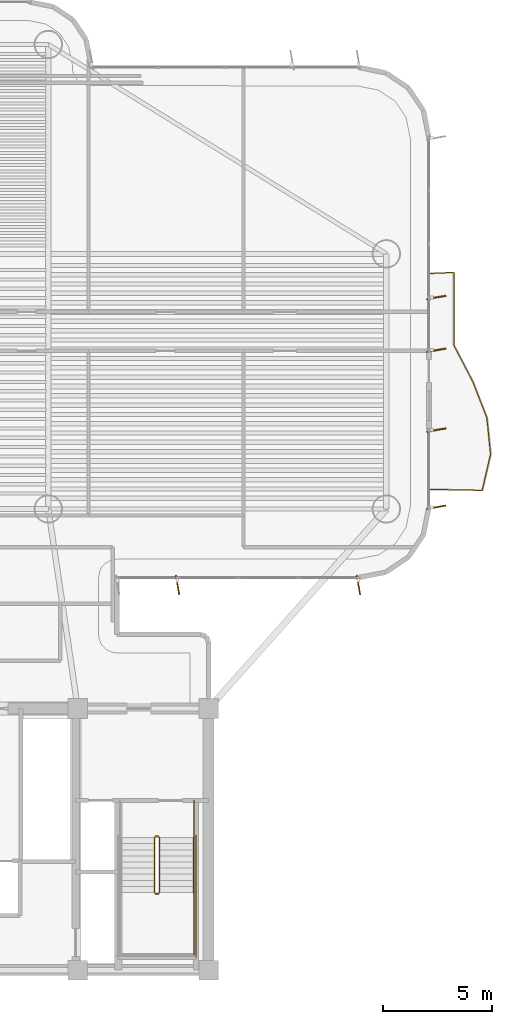
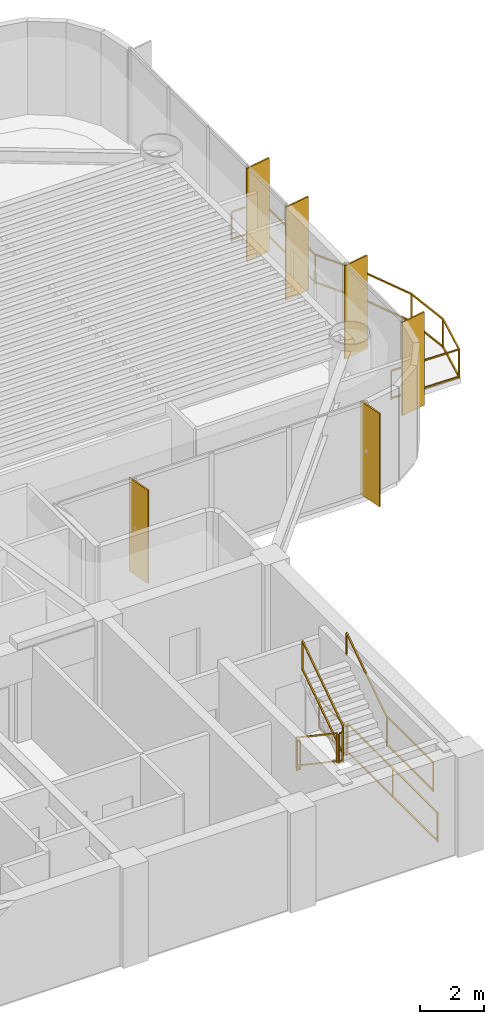
# One storey, part 15 of 16: 9 railings, 6 shading devices.
"""IFC4 building model written with IfcOpenShell, lengths in metres."""

from ifc_helpers import new_model, si_unit, direction, frame, origin, origin_2d, place, context, subcontext, project, spatial, rectangle, extrude, source, transform, mapped, material, layer, layer_set, material_profile, profile_set, type_object, element, save


model = new_model("IFC4")

# Units and contexts
model_context = context("Model", 3, precision=1e-05, world=origin(), true_north=direction((0.0, 1.0)))
body_context = subcontext(model_context, "Body", "Model", "MODEL_VIEW")
ifc_project = project(units=[si_unit("LENGTHUNIT", "METRE"), si_unit("AREAUNIT", "SQUARE_METRE"), si_unit("VOLUMEUNIT", "CUBIC_METRE"), si_unit("PLANEANGLEUNIT", "RADIAN"), si_unit("MASSUNIT", "GRAM", prefix="KILO")], contexts=[model_context])

# Site, building, storey
site_placement = place(None, origin())
site = spatial("IfcSite", under=ifc_project, at=site_placement, CompositionType="ELEMENT")
building_placement = place(site_placement, origin())
building = spatial("IfcBuilding", under=site, at=building_placement, Name="Brelvock Crest Care Tower", CompositionType="ELEMENT")
storey_placement = place(building_placement, frame((0.0, 0.0, 123.840087890625)))
storey = spatial("IfcBuildingStorey", under=building, at=storey_placement, Name="L31", CompositionType="ELEMENT", Elevation=123.840087890625)

# Railings
ifc_material_1 = material(Name="Dark Glass Double Glazed Low-E", Category="glass")
ifc_layer_1 = layer(ifc_material_1, 0.06005859375, Name="RL-BAL1")
ifc_layer_set_1 = layer_set([ifc_layer_1], Name="Dark Glass Double Glazed Low-E")
railing_type_1 = type_object("IfcRailingType", Name="RL-BAL1", PredefinedType="BALUSTRADE", material=ifc_layer_set_1)
railing_1_placement = place(storey_placement, frame((58.139892578125, 28.050048828125, 0.00390625)))
element("IfcRailing", 1, at=railing_1_placement, inside=storey, type_object=railing_type_1, Name="L31 Safety Balustrade WB-E", PredefinedType="BALUSTRADE", context=body_context, shape_type="SweptSolid", body=[
    extrude(rectangle(XDim=0.048095703125, YDim=0.048095703125, at=origin_2d()), frame((0.001953125, 0.0, 1.09619140625), z_axis=(0.999783496855, -0.020807676838, 0.0), x_axis=(0.020807676838, 0.999783496855, 0.0)), (0.0, 0.0, 1.0), 2.4013671875),
    extrude(rectangle(XDim=0.048095703125, YDim=0.048095703125, at=origin_2d()), frame((0.001953125, 0.0, 0.054931640625), z_axis=(0.999783496855, -0.020807676838, 0.0), x_axis=(0.020807676838, 0.999783496855, 0.0)), (0.0, 0.0, 1.0), 2.4013671875),
    extrude(rectangle(XDim=0.048095703125, YDim=0.048095703125, at=origin_2d()), frame((2.4052734375, -0.048095703125, 1.09619140625), z_axis=(0.22439035679, 0.974499342114, 0.0), x_axis=(-0.974499342114, 0.22439035679, 0.0)), (0.0, 0.0, 1.0), 1.706298828125),
    extrude(rectangle(XDim=0.048095703125, YDim=0.048095703125, at=origin_2d()), frame((2.4052734375, -0.048095703125, 0.054931640625), z_axis=(0.22439035679, 0.974499342114, 0.0), x_axis=(-0.974499342114, 0.22439035679, 0.0)), (0.0, 0.0, 1.0), 1.706298828125),
    extrude(rectangle(XDim=0.048095703125, YDim=0.048095703125, at=origin_2d()), frame((2.788330078125, 1.61865234375, 1.09619140625), z_axis=(-0.101148651987, 0.994871323439, 0.0), x_axis=(-0.994871323439, -0.101148651987, 0.0)), (0.0, 0.0, 1.0), 1.671142578125),
    extrude(rectangle(XDim=0.048095703125, YDim=0.048095703125, at=origin_2d()), frame((2.788330078125, 1.61865234375, 0.054931640625), z_axis=(-0.101148651987, 0.994871323439, 0.0), x_axis=(-0.994871323439, -0.101148651987, 0.0)), (0.0, 0.0, 1.0), 1.671142578125),
    extrude(rectangle(XDim=0.048095703125, YDim=0.048095703125, at=origin_2d()), frame((2.618408203125, 3.28515625, 1.09619140625), z_axis=(-0.364466206994, 0.93121661495, 0.0), x_axis=(-0.93121661495, -0.364466206994, 0.0)), (0.0, 0.0, 1.0), 1.785888671875),
    extrude(rectangle(XDim=0.048095703125, YDim=0.048095703125, at=origin_2d()), frame((2.618408203125, 3.28515625, 0.054931640625), z_axis=(-0.364466206994, 0.93121661495, 0.0), x_axis=(-0.93121661495, -0.364466206994, 0.0)), (0.0, 0.0, 1.0), 1.785888671875),
    extrude(rectangle(XDim=0.048095703125, YDim=0.048095703125, at=origin_2d()), frame((1.9658203125, 4.95166015625, 1.09619140625), z_axis=(-0.46114401417, 0.887325305733, 0.0), x_axis=(-0.887325305733, -0.46114401417, 0.0)), (0.0, 0.0, 1.0), 1.87451171875),
    extrude(rectangle(XDim=0.048095703125, YDim=0.048095703125, at=origin_2d()), frame((1.9658203125, 4.95166015625, 0.054931640625), z_axis=(-0.46114401417, 0.887325305733, 0.0), x_axis=(-0.887325305733, -0.46114401417, 0.0)), (0.0, 0.0, 1.0), 1.87451171875),
    extrude(rectangle(XDim=0.048095703125, YDim=0.048095703125, at=origin_2d()), frame((1.1005859375, 6.61865234375, 1.09619140625), z_axis=(-0.00014648795, 0.999999989271, 0.0), x_axis=(-0.999999989271, -0.00014648795, 0.0)), (0.0, 0.0, 1.0), 3.329345703125),
    extrude(rectangle(XDim=0.048095703125, YDim=0.048095703125, at=origin_2d()), frame((1.1005859375, 6.61865234375, 0.054931640625), z_axis=(-0.00014648795, 0.999999989271, 0.0), x_axis=(-0.999999989271, -0.00014648795, 0.0)), (0.0, 0.0, 1.0), 3.329345703125),
    extrude(rectangle(XDim=0.048095703125, YDim=0.048095703125, at=origin_2d()), frame((1.09814453125, 9.949951171875, 1.09619140625), z_axis=(-0.998966710972, -0.045447886318, 0.0), x_axis=(0.045447886318, -0.998966710972, 0.0)), (0.0, 0.0, 1.0), 1.09716796875),
    extrude(rectangle(XDim=0.048095703125, YDim=0.048095703125, at=origin_2d()), frame((1.09814453125, 9.949951171875, 0.054931640625), z_axis=(-0.998966710972, -0.045447886318, 0.0), x_axis=(0.045447886318, -0.998966710972, 0.0)), (0.0, 0.0, 1.0), 1.09716796875),
    extrude(rectangle(XDim=0.0419921875, YDim=0.0419921875, at=origin_2d()), origin(), (0.0, 0.0, 1.0), 1.070068359375),
    extrude(rectangle(XDim=0.0419921875, YDim=0.0419921875, at=origin_2d()), frame((2.40478515625, -0.050048828125, 0.0)), (0.0, 0.0, 1.0), 1.070068359375),
    extrude(rectangle(XDim=0.0419921875, YDim=0.0419921875, at=origin_2d()), frame((2.78857421875, 1.61669921875, 0.0)), (0.0, 0.0, 1.0), 1.070068359375),
    extrude(rectangle(XDim=0.0419921875, YDim=0.0419921875, at=origin_2d()), frame((2.619140625, 3.283203125, 0.0)), (0.0, 0.0, 1.0), 1.070068359375),
    extrude(rectangle(XDim=0.0419921875, YDim=0.0419921875, at=origin_2d()), frame((1.966796875, 4.949951171875, 0.0)), (0.0, 0.0, 1.0), 1.070068359375),
    extrude(rectangle(XDim=0.0419921875, YDim=0.0419921875, at=origin_2d()), frame((1.1005859375, 6.61669921875, 0.0)), (0.0, 0.0, 1.0), 1.070068359375),
    extrude(rectangle(XDim=0.0419921875, YDim=0.0419921875, at=origin_2d()), frame((1.10009765625, 9.949951171875, 0.0)), (0.0, 0.0, 1.0), 1.070068359375),
    extrude(rectangle(XDim=0.0419921875, YDim=0.0419921875, at=origin_2d()), frame((0.0, 9.89990234375, 0.0)), (0.0, 0.0, 1.0), 1.070068359375),
])
ifc_material_2 = material(Name="Steel Grade 350", Category="steel")
ifc_layer_2 = layer(ifc_material_2, 0.050048828125, Name="RL-STG1")
ifc_layer_set_2 = layer_set([ifc_layer_2], Name="Steel Grade 350")
railing_type_2 = type_object("IfcRailingType", Name="RL-STG1", PredefinedType="GUARDRAIL", material=ifc_layer_set_2)
railing_2_placement = place(storey_placement, frame((45.52001953125, 12.080078125, 0.18896484375)))
element("IfcRailing", 2, at=railing_2_placement, inside=storey, type_object=railing_type_2, Name="L31 ST-2 stair guard 1", PredefinedType="GUARDRAIL", context=body_context, shape_type="SweptSolid", body=[
    extrude(rectangle(XDim=0.048095703125, YDim=0.048095703125, at=origin_2d()), frame((0.0, -0.001708984375, 1.116943359375), z_axis=(0.0, -0.828861706735, 0.559453546873), x_axis=(1.0, 0.0, 0.0)), (0.0, 0.0, 1.0), 3.036376953125),
    extrude(rectangle(XDim=0.048095703125, YDim=0.048095703125, at=origin_2d()), frame((0.0, -0.001708984375, 0.05615234375), z_axis=(0.0, -0.828861706735, 0.559453546873), x_axis=(1.0, 0.0, 0.0)), (0.0, 0.0, 1.0), 3.036376953125),
    extrude(rectangle(XDim=0.0419921875, YDim=0.0419921875, at=origin_2d()), origin(), (0.0, 0.0, 1.0), 1.08984375),
    extrude(rectangle(XDim=0.0419921875, YDim=0.0419921875, at=origin_2d()), frame((0.0, -2.52001953125, 1.700927734375)), (0.0, 0.0, 1.0), 1.08984375),
])
railing_3_placement = place(storey_placement, frame((45.570068359375, 9.510009765625, 1.889892578125)))
element("IfcRailing", 3, at=railing_3_placement, inside=storey, type_object=railing_type_2, Name="L31 ST-2 stair guard 2", PredefinedType="GUARDRAIL", context=body_context, shape_type="SweptSolid", body=[
    extrude(rectangle(XDim=0.048095703125, YDim=0.048095703125, at=origin_2d()), frame((0.001953125, 0.0, 1.11572265625), z_axis=(1.0, 0.0, 0.0), x_axis=(0.0, 1.0, 0.0)), (0.0, 0.0, 1.0), 0.115966796875),
    extrude(rectangle(XDim=0.048095703125, YDim=0.048095703125, at=origin_2d()), frame((0.001953125, 0.0, 0.054931640625), z_axis=(1.0, 0.0, 0.0), x_axis=(0.0, 1.0, 0.0)), (0.0, 0.0, 1.0), 0.115966796875),
    extrude(rectangle(XDim=0.0419921875, YDim=0.0419921875, at=origin_2d()), origin(), (0.0, 0.0, 1.0), 1.08984375),
    extrude(rectangle(XDim=0.0419921875, YDim=0.0419921875, at=origin_2d()), frame((0.119873046875, 0.0, 0.0)), (0.0, 0.0, 1.0), 1.08984375),
])
railing_4_placement = place(storey_placement, frame((47.320068359375, 9.56005859375, 1.889892578125)))
element("IfcRailing", 4, at=railing_4_placement, inside=storey, type_object=railing_type_2, Name="L31 ST-2 stair guard 4", PredefinedType="GUARDRAIL", context=body_context, shape_type="SweptSolid", body=[
    extrude(rectangle(XDim=0.048095703125, YDim=0.048095703125, at=origin_2d()), frame((0.0, -0.001953125, 1.11572265625), z_axis=(0.0, -1.0, 0.0), x_axis=(1.0, 0.0, 0.0)), (0.0, 0.0, 1.0), 2.856201171875),
    extrude(rectangle(XDim=0.048095703125, YDim=0.048095703125, at=origin_2d()), frame((0.0, -0.001953125, 0.054931640625), z_axis=(0.0, -1.0, 0.0), x_axis=(1.0, 0.0, 0.0)), (0.0, 0.0, 1.0), 2.856201171875),
    extrude(rectangle(XDim=0.0419921875, YDim=0.0419921875, at=origin_2d()), origin(), (0.0, 0.0, 1.0), 1.08984375),
    extrude(rectangle(XDim=0.0419921875, YDim=0.0419921875, at=origin_2d()), frame((0.0, -2.860107421875, 0.0)), (0.0, 0.0, 1.0), 1.08984375),
])
railing_5_placement = place(storey_placement, frame((45.739990234375, 9.56005859375, 2.078857421875)))
element("IfcRailing", 5, at=railing_5_placement, inside=storey, type_object=railing_type_2, Name="L31 ST-2 stair guard 6", PredefinedType="GUARDRAIL", context=body_context, shape_type="SweptSolid", body=[
    extrude(rectangle(XDim=0.048095703125, YDim=0.048095703125, at=origin_2d()), frame((0.0, 0.001708984375, 1.116943359375), z_axis=(0.0, 0.82882447046, 0.559508710537), x_axis=(-1.0, 0.0, 0.0)), (0.0, 0.0, 1.0), 3.036376953125),
    extrude(rectangle(XDim=0.048095703125, YDim=0.048095703125, at=origin_2d()), frame((0.0, 0.001708984375, 0.05615234375), z_axis=(0.0, 0.82882447046, 0.559508710537), x_axis=(-1.0, 0.0, 0.0)), (0.0, 0.0, 1.0), 3.036376953125),
    extrude(rectangle(XDim=0.0419921875, YDim=0.0419921875, at=origin_2d()), origin(), (0.0, 0.0, 1.0), 1.08984375),
    extrude(rectangle(XDim=0.0419921875, YDim=0.0419921875, at=origin_2d()), frame((0.0, 2.52001953125, 1.701171875)), (0.0, 0.0, 1.0), 1.08984375),
])
railing_6_placement = place(storey_placement, frame((45.570068359375, 12.1298828125, 0.0)))
element("IfcRailing", 6, at=railing_6_placement, inside=storey, type_object=railing_type_2, Name="L31 ST-2 stair guard 7", PredefinedType="GUARDRAIL", context=body_context, shape_type="SweptSolid", body=[
    extrude(rectangle(XDim=0.048095703125, YDim=0.048095703125, at=origin_2d()), frame((0.001953125, 0.0, 1.11572265625), z_axis=(1.0, 0.0, 0.0), x_axis=(0.0, 1.0, 0.0)), (0.0, 0.0, 1.0), 0.115966796875),
    extrude(rectangle(XDim=0.048095703125, YDim=0.048095703125, at=origin_2d()), frame((0.001953125, 0.0, 0.054931640625), z_axis=(1.0, 0.0, 0.0), x_axis=(0.0, 1.0, 0.0)), (0.0, 0.0, 1.0), 0.115966796875),
    extrude(rectangle(XDim=0.0419921875, YDim=0.0419921875, at=origin_2d()), origin(), (0.0, 0.0, 1.0), 1.08984375),
    extrude(rectangle(XDim=0.0419921875, YDim=0.0419921875, at=origin_2d()), frame((0.119873046875, 0.0, 0.0)), (0.0, 0.0, 1.0), 1.08984375),
])
railing_7_placement = place(storey_placement, frame((47.320068359375, 13.780029296875, 0.0)))
element("IfcRailing", 7, at=railing_7_placement, inside=storey, type_object=railing_type_2, Name="L31 ST-2 stair guard 9", PredefinedType="GUARDRAIL", context=body_context, shape_type="SweptSolid", body=[
    extrude(rectangle(XDim=0.048095703125, YDim=0.048095703125, at=origin_2d()), frame((0.0, -0.001953125, 1.11572265625), z_axis=(0.0, -1.0, 0.0), x_axis=(1.0, 0.0, 0.0)), (0.0, 0.0, 1.0), 1.696044921875),
    extrude(rectangle(XDim=0.048095703125, YDim=0.048095703125, at=origin_2d()), frame((0.0, -0.001953125, 0.054931640625), z_axis=(0.0, -1.0, 0.0), x_axis=(1.0, 0.0, 0.0)), (0.0, 0.0, 1.0), 1.696044921875),
    extrude(rectangle(XDim=0.0419921875, YDim=0.0419921875, at=origin_2d()), origin(), (0.0, 0.0, 1.0), 1.08984375),
    extrude(rectangle(XDim=0.0419921875, YDim=0.0419921875, at=origin_2d()), frame((0.0, -1.699951171875, 0.0)), (0.0, 0.0, 1.0), 1.08984375),
])
railing_8_placement = place(storey_placement, frame((47.419921875, 12.179931640625, 0.0)))
element("IfcRailing", 8, at=railing_8_placement, inside=storey, type_object=railing_type_2, Name="L31 ST-2 stair guard 11", PredefinedType="GUARDRAIL", context=body_context, shape_type="SweptSolid", body=[
    extrude(rectangle(XDim=0.048095703125, YDim=0.048095703125, at=origin_2d()), frame((0.0, -0.001953125, 1.11572265625), z_axis=(0.0, -1.0, 0.0), x_axis=(1.0, 0.0, 0.0)), (0.0, 0.0, 1.0), 5.575927734375),
    extrude(rectangle(XDim=0.048095703125, YDim=0.048095703125, at=origin_2d()), frame((0.0, -0.001953125, 0.054931640625), z_axis=(0.0, -1.0, 0.0), x_axis=(1.0, 0.0, 0.0)), (0.0, 0.0, 1.0), 5.575927734375),
    extrude(rectangle(XDim=0.0419921875, YDim=0.0419921875, at=origin_2d()), origin(), (0.0, 0.0, 1.0), 1.08984375),
    extrude(rectangle(XDim=0.0419921875, YDim=0.0419921875, at=origin_2d()), frame((0.0, -2.7900390625, 0.0)), (0.0, 0.0, 1.0), 1.08984375),
    extrude(rectangle(XDim=0.0419921875, YDim=0.0419921875, at=origin_2d()), frame((0.0, -5.579833984375, 0.0)), (0.0, 0.0, 1.0), 1.08984375),
])
ifc_layer_3 = layer(ifc_material_2, 0.048095703125, Name="RL-STH1")
ifc_layer_set_3 = layer_set([ifc_layer_3], Name="Steel Grade 350")
railing_type_3 = type_object("IfcRailingType", Name="RL-STH1", PredefinedType="HANDRAIL", material=ifc_layer_set_3)
railing_9_placement = place(storey_placement, frame((47.320068359375, 9.56005859375, 2.078857421875)))
element("IfcRailing", 9, at=railing_9_placement, inside=storey, type_object=railing_type_3, Name="L31 ST-2 stair handrail 2", PredefinedType="HANDRAIL", context=body_context, shape_type="SweptSolid", body=[
    extrude(rectangle(XDim=0.048095703125, YDim=0.048095703125, at=origin_2d()), frame((0.0, 0.001708984375, 0.876953125), z_axis=(0.0, 0.82882447046, 0.559508710537), x_axis=(-1.0, 0.0, 0.0)), (0.0, 0.0, 1.0), 3.036376953125),
    extrude(rectangle(XDim=0.0419921875, YDim=0.0419921875, at=origin_2d()), origin(), (0.0, 0.0, 1.0), 0.849853515625),
    extrude(rectangle(XDim=0.0419921875, YDim=0.0419921875, at=origin_2d()), frame((0.0, 2.52001953125, 1.701171875)), (0.0, 0.0, 1.0), 0.849853515625),
])

# Shading devices
ifc_material_3 = material(Name="Aluminium 6063-T6", Category="aluminium")
ifc_material_profile = material_profile(ifc_material_3, rectangle(XDim=0.054931640625, YDim=0.89990234375, at=origin_2d()), Name="FIN55x900")
ifc_profile_set = profile_set([ifc_material_profile], Name="Aluminium 6063-T6")
shading_device_type = type_object("IfcShadingDeviceType", Name="SHD-FIN1", PredefinedType="USERDEFINED", material=ifc_profile_set)
shared_shape = source(origin(), body_context, "Body", "SweptSolid", [
    extrude(rectangle(XDim=0.054931640625, YDim=0.89990234375, at=origin_2d()), origin(), (0.0, 0.0, 1.0), 3.530029296875),
])
for number, where, z_axis, x_axis, name in (
    (10, (58.43994140625, 36.85009765625, 0.0), (0.0, 0.0, 1.0), (0.173648177667, -0.984807753012, 0.0), "L31 Vertical Sunshade Fin E39A-04"),
    (11, (58.43994140625, 34.429931640625, 0.0), (0.0, 0.0, 1.0), (0.173648177667, -0.984807753012, 0.0), "L31 Vertical Sunshade Fin E39A-05"),
    (12, (58.43994140625, 30.77001953125, 0.0), (0.0, 0.0, 1.0), (0.173648177667, -0.984807753012, 0.0), "L31 Vertical Sunshade Fin E39B-01"),
    (13, (58.43994140625, 27.22998046875, 0.0), (0.0, 0.0, 1.0), (0.173648177667, -0.984807753012, 0.0), "L31 Vertical Sunshade Fin E39B-02"),
    (14, (54.8701171875, 23.659912109375, 0.0), (0.0, 0.0, 1.0), (-0.984807753012, -0.173648177667, 0.0), "L31 Vertical Sunshade Fin E44-01"),
    (15, (46.574951171875, 23.659912109375, 0.0), (0.0, 0.0, 1.0), (-0.984807753012, -0.173648177667, 0.0), "L31 Vertical Sunshade Fin E44-04"),
):
    element("IfcShadingDevice", number, at=place(storey_placement, frame(where, z_axis=z_axis, x_axis=x_axis)), inside=storey, type_object=shading_device_type, Name=name, ObjectType="FIN", PredefinedType="USERDEFINED", context=body_context, shape_type="MappedRepresentation", body=[
        mapped(shared_shape, transform((0.0, 0.0, 0.0), x_axis=(1.0, 0.0, 0.0), y_axis=(0.0, 1.0, 0.0), z_axis=(0.0, 0.0, 1.0), scale=1.0)),
    ])

save(model, "model.ifc")
